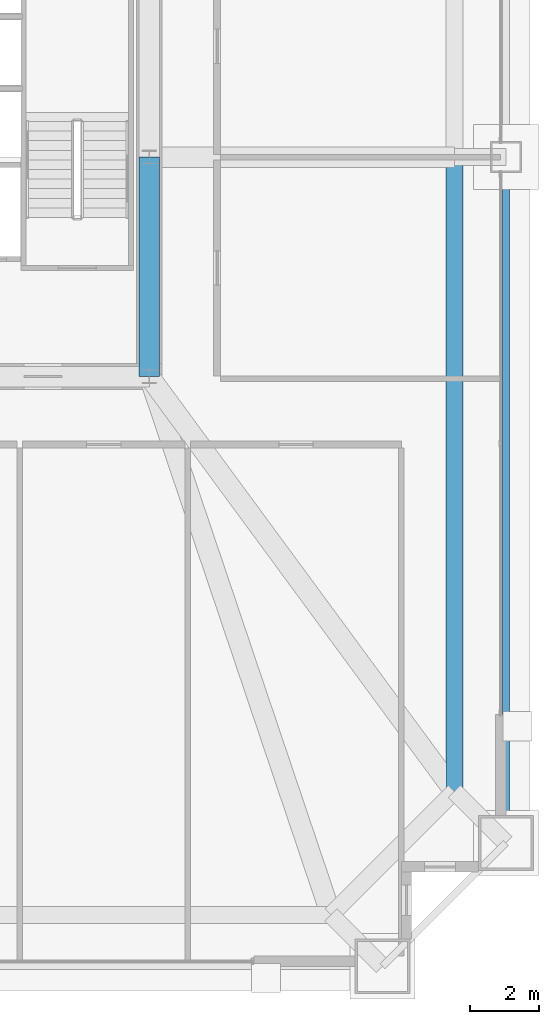
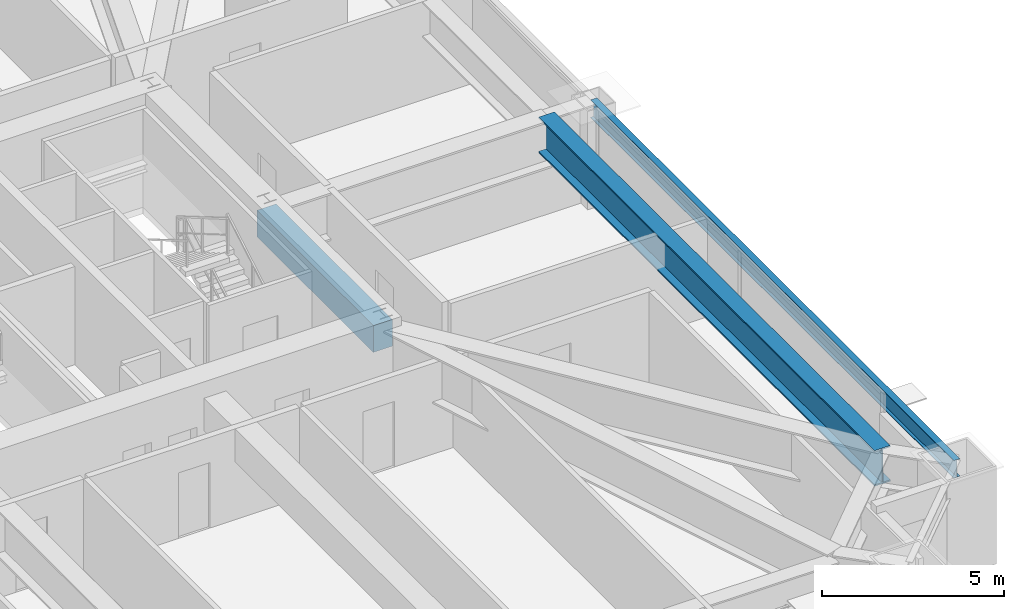
# One storey, part 21 of 45: 3 beams.
"""IFC4 building model written with IfcOpenShell, lengths in metres."""

import ifcopenshell
import ifcopenshell.guid

model = None  # the IFC model being written
_history = None  # IfcOwnerHistory: only IFC2X3 demands one
_inside = {}  # id of a spatial element -> (the spatial element, [elements in it])
_under = {}  # id of a project, library or spatial element -> (it, [spatial elements below it])
_declared = {}  # id of a project -> (the project, [libraries it declares])
_typed = {}  # id of a type object -> (the type object, [elements of that type])
_made_of = {}  # id of a material, layer set ... -> (it, [elements and type objects made of it])


def new_model(schema):
    """Start an empty IFC model of exactly this schema.

    Asked for "IFC4X3", IfcOpenShell would pick the latest addendum, in which some entities
    have other attributes; the version numbers below select the first issue.
    IFC2X3 requires an IfcOwnerHistory on every rooted entity: one is made here for all.
    """
    global model, _history
    if schema == "IFC4X3":
        model = ifcopenshell.file(schema_version=(4, 3, 0, 0))
    else:
        model = ifcopenshell.file(schema=schema)
    _inside.clear()
    _under.clear()
    _declared.clear()
    _typed.clear()
    _made_of.clear()
    _history = None
    if model.schema == "IFC2X3":
        org = make("IfcOrganization", Name="unknown")
        user = make(
            "IfcPersonAndOrganization",
            ThePerson=make("IfcPerson", FamilyName="unknown"),
            TheOrganization=org,
        )
        app = make(
            "IfcApplication",
            ApplicationDeveloper=org,
            Version="unknown",
            ApplicationFullName="unknown",
            ApplicationIdentifier="unknown",
        )
        _history = make(
            "IfcOwnerHistory",
            OwningUser=user,
            OwningApplication=app,
            ChangeAction="ADDED",
            CreationDate=0,
        )
    return model


def make(cls, **values):
    """One entity of the class cls with the attributes given. An attribute that is None is left unset."""
    return model.create_entity(
        cls, **{name: value for name, value in values.items() if value is not None}
    )


def rooted(cls, **values):
    """An entity with a GlobalId (a new one), such as an element, a storey or a relation."""
    return make(cls, GlobalId=ifcopenshell.guid.new(), OwnerHistory=_history, **values)


def si_unit(unit_type, name, prefix=None):
    """IfcSIUnit, for example si_unit("LENGTHUNIT", "METRE", prefix="MILLI")."""
    return make("IfcSIUnit", UnitType=unit_type, Prefix=prefix, Name=name)


def assignment(units):
    """IfcUnitAssignment: the units of a project."""
    return None if units is None else make("IfcUnitAssignment", Units=units)


def point(xyz):
    """IfcCartesianPoint."""
    return None if xyz is None else make("IfcCartesianPoint", Coordinates=xyz)


def direction(xyz):
    """IfcDirection."""
    return None if xyz is None else make("IfcDirection", DirectionRatios=xyz)


def frame(location, z_axis=None, x_axis=None):
    """IfcAxis2Placement3D, a coordinate frame: its origin and axes. An axis left out is left unset."""
    return make(
        "IfcAxis2Placement3D",
        Location=point(location),
        Axis=direction(z_axis),
        RefDirection=direction(x_axis),
    )


def frame_2d(location, x_axis=None):
    """IfcAxis2Placement2D, a coordinate frame in the plane: its origin and x axis."""
    return make(
        "IfcAxis2Placement2D", Location=point(location), RefDirection=direction(x_axis)
    )


def origin():
    """The frame at (0, 0, 0) with its axes left unset."""
    return frame((0.0, 0.0, 0.0))


def origin_2d():
    """The frame at (0, 0) in the plane with its x axis left unset."""
    return frame_2d((0.0, 0.0))


def place(relative_to, where):
    """IfcLocalPlacement: puts the frame where relative to a parent placement (None: the world)."""
    return make(
        "IfcLocalPlacement", PlacementRelTo=relative_to, RelativePlacement=where
    )


def context(
    kind, dimensions, precision=None, world=None, true_north=None, identifier=None
):
    """IfcGeometricRepresentationContext, for example the 3D "Model" context."""
    return make(
        "IfcGeometricRepresentationContext",
        ContextIdentifier=identifier,
        ContextType=kind,
        CoordinateSpaceDimension=dimensions,
        Precision=precision,
        WorldCoordinateSystem=world,
        TrueNorth=true_north,
    )


def subcontext(parent, identifier, kind, view, scale=None):
    """IfcGeometricRepresentationSubContext, for example "Body" below "Model"."""
    return make(
        "IfcGeometricRepresentationSubContext",
        ContextIdentifier=identifier,
        ContextType=kind,
        ParentContext=parent,
        TargetScale=scale,
        TargetView=view,
    )


def project(units=None, contexts=None):
    """IfcProject with its units and contexts."""
    return rooted(
        "IfcProject",
        Name="project",
        RepresentationContexts=contexts,
        UnitsInContext=assignment(units),
    )


def spatial(cls, under=None, at=None, **own):
    """A site, building, storey or space (cls), placed at a placement, below another one or the project."""
    s = rooted(cls, ObjectPlacement=at, **own)
    if under is not None:
        _under.setdefault(under.id(), (under, []))[1].append(s)
    return s


def profile(cls, at=None, kind="AREA", **sizes):
    """A parametric profile (cls). Its sizes go by their IFC names, for example OverallWidth=200.0."""
    return make(cls, ProfileType=kind, Position=at, **sizes)


def rectangle(**sizes):
    """IfcRectangleProfileDef."""
    return profile("IfcRectangleProfileDef", **sizes)


def i_section(**sizes):
    """IfcIShapeProfileDef."""
    return profile("IfcIShapeProfileDef", **sizes)


def extrude(swept, where, along, depth):
    """IfcExtrudedAreaSolid: the profile swept, set in the frame where, extruded along a direction by depth."""
    return make(
        "IfcExtrudedAreaSolid",
        SweptArea=swept,
        Position=where,
        ExtrudedDirection=direction(along),
        Depth=depth,
    )


def shape(context_of_items, identifier, shape_type, items):
    """IfcShapeRepresentation: the items that make up one representation, for example the "Body"."""
    return make(
        "IfcShapeRepresentation",
        ContextOfItems=context_of_items,
        RepresentationIdentifier=identifier,
        RepresentationType=shape_type,
        Items=items,
    )


def source(mapping_origin, context_of_items, identifier, shape_type, items):
    """IfcRepresentationMap: a shape defined once, which mapped items show again and again."""
    return make(
        "IfcRepresentationMap",
        MappingOrigin=mapping_origin,
        MappedRepresentation=shape(context_of_items, identifier, shape_type, items),
    )


def transform(
    local_origin,
    x_axis=None,
    y_axis=None,
    z_axis=None,
    scale=None,
    scale2=None,
    scale3=None,
    uniform=True,
):
    """IfcCartesianTransformationOperator3D, or its non-uniform kind. x_axis, y_axis, z_axis: its Axis1, 2, 3."""
    if uniform:
        return make(
            "IfcCartesianTransformationOperator3D",
            Axis1=direction(x_axis),
            Axis2=direction(y_axis),
            LocalOrigin=point(local_origin),
            Scale=scale,
            Axis3=direction(z_axis),
        )
    return make(
        "IfcCartesianTransformationOperator3DnonUniform",
        Axis1=direction(x_axis),
        Axis2=direction(y_axis),
        LocalOrigin=point(local_origin),
        Scale=scale,
        Axis3=direction(z_axis),
        Scale2=scale2,
        Scale3=scale3,
    )


def mapped(mapping_source, mapping_target):
    """IfcMappedItem: shows the shape of a source again, moved by a transform."""
    return make(
        "IfcMappedItem", MappingSource=mapping_source, MappingTarget=mapping_target
    )


def material(Name=None, Category=None):
    """IfcMaterial."""
    return make("IfcMaterial", Name=Name, Category=Category)


def material_profile(
    of_material, cross_section, Name=None, Category=None, Priority=None
):
    """IfcMaterialProfile: a cross section and its material."""
    return make(
        "IfcMaterialProfile",
        Name=Name,
        Material=of_material,
        Profile=cross_section,
        Priority=Priority,
        Category=Category,
    )


def profile_set(profiles, Name=None, composite=None):
    """IfcMaterialProfileSet."""
    return make(
        "IfcMaterialProfileSet",
        Name=Name,
        MaterialProfiles=profiles,
        CompositeProfile=composite,
    )


def made_of(thing, what):
    """Note that an element or type object is made of a material, layer set ...; save() writes the relation."""
    if what is not None:
        _made_of.setdefault(what.id(), (what, []))[1].append(thing)
    return thing


def type_object(cls, material=None, **own):
    """A type object (cls), such as IfcWallType, which elements share."""
    return made_of(rooted(cls, **own), material)


def element(
    cls,
    number,
    at=None,
    inside=None,
    cuts=None,
    type_object=None,
    material=None,
    context=None,
    identifier="Body",
    shape_type=None,
    held_by="IfcProductDefinitionShape",
    body=None,
    shapes=None,
    **own,
):
    """One element of the class cls, such as IfcWall. Its Tag is "e" and its number.

    at: its placement. inside: the storey or other place that contains it. cuts: it is an
    opening in that element (IfcRelVoidsElement). A single representation is given by context,
    identifier, shape_type and body (its items); several are given by shapes. held_by: the class
    of the entity that holds the representations. save() writes the other relations.
    """
    e = rooted(cls, Tag="e%d" % number, ObjectPlacement=at, **own)
    if body is not None:
        shapes = [shape(context, identifier, shape_type, body)]
    if shapes is not None:
        e.Representation = make(held_by, Representations=shapes)
    if inside is not None:
        _inside.setdefault(inside.id(), (inside, []))[1].append(e)
    if cuts is not None:
        rooted(
            "IfcRelVoidsElement", RelatingBuildingElement=cuts, RelatedOpeningElement=e
        )
    if type_object is not None:
        _typed.setdefault(type_object.id(), (type_object, []))[1].append(e)
    return made_of(e, material)


def aggregate(whole, parts):
    """IfcRelAggregates: a whole, such as a stair, and the parts it consists of."""
    return rooted("IfcRelAggregates", RelatingObject=whole, RelatedObjects=parts)


def save(model, path):
    """Write the relations noted so far, then the file.

    IfcRelAggregates (storeys below a building ...), IfcRelContainedInSpatialStructure (elements
    in a storey), IfcRelDefinesByType, IfcRelAssociatesMaterial and IfcRelDeclares: one each for
    every whole, place, type object, material and project.
    """
    for whole, parts in _under.values():
        aggregate(whole, parts)
    for where, things in _inside.values():
        rooted(
            "IfcRelContainedInSpatialStructure",
            RelatedElements=things,
            RelatingStructure=where,
        )
    for kind, things in _typed.values():
        rooted("IfcRelDefinesByType", RelatedObjects=things, RelatingType=kind)
    for what, things in _made_of.values():
        rooted("IfcRelAssociatesMaterial", RelatedObjects=things, RelatingMaterial=what)
    for by, libraries in _declared.values():
        rooted("IfcRelDeclares", RelatingContext=by, RelatedDefinitions=libraries)
    model.write(path)


model = new_model("IFC4")

# Units and contexts
model_context = context("Model", 3, precision=1e-05, world=origin(), true_north=direction((0.0, 1.0)))
body_context = subcontext(model_context, "Body", "Model", "MODEL_VIEW")
ifc_project = project(units=[si_unit("LENGTHUNIT", "METRE"), si_unit("AREAUNIT", "SQUARE_METRE"), si_unit("VOLUMEUNIT", "CUBIC_METRE"), si_unit("PLANEANGLEUNIT", "RADIAN"), si_unit("MASSUNIT", "GRAM", prefix="KILO"), si_unit("THERMODYNAMICTEMPERATUREUNIT", "KELVIN"), si_unit("POWERUNIT", "WATT")], contexts=[model_context])

# Site, building, storey
site_placement = place(None, origin())
site = spatial("IfcSite", under=ifc_project, at=site_placement, CompositionType="ELEMENT")
building_placement = place(site_placement, origin())
building = spatial("IfcBuilding", under=site, at=building_placement, Name="Yuzanri Waterfront Tower", CompositionType="ELEMENT")
storey_placement = place(building_placement, frame((0.0, 0.0, 163.199951171875)))
storey = spatial("IfcBuildingStorey", under=building, at=storey_placement, Name="L43", CompositionType="ELEMENT", Elevation=163.199951171875)

# Beams
ifc_material_1 = material(Name="Concrete C60", Category="concrete")
ifc_material_profile_1 = material_profile(ifc_material_1, rectangle(XDim=0.60009765625, YDim=0.89990234375, at=origin_2d()), Name="RC 600x900")
ifc_profile_set_1 = profile_set([ifc_material_profile_1], Name="Concrete C60")
beam_type_1 = type_object("IfcBeamType", Name="Core Coupling Lintel Concrete C60 600x900", PredefinedType="LINTEL", material=ifc_profile_set_1)
shared_shape_1 = source(origin(), body_context, "Body", "SweptSolid", [
    extrude(rectangle(XDim=0.60009765625, YDim=0.89990234375, at=origin_2d()), origin(), (0.0, 0.0, 1.0), 6.400146484375),
])
beam_1_placement = place(storey_placement, frame((50.199951171875, 19.39990234375, 2.85009765625), z_axis=(0.0, 1.0, 0.0), x_axis=(-1.0, 0.0, 0.0)))
element("IfcBeam", 1, at=beam_1_placement, inside=storey, type_object=beam_type_1, Name="L43 Core Tie Beam CE1", PredefinedType="LINTEL", context=body_context, shape_type="MappedRepresentation", body=[
    mapped(shared_shape_1, transform((0.0, 0.0, 0.0), scale=1.0)),
])
ifc_material_2 = material(Name="Steel Q355B", Category="steel")
ifc_material_profile_2 = material_profile(ifc_material_2, i_section(OverallWidth=0.199951171875, OverallDepth=0.60009765625, WebThickness=0.010986328125, FlangeThickness=0.01708984375, at=origin_2d()), Name="HN 600x200x11x17")
ifc_profile_set_2 = profile_set([ifc_material_profile_2], Name="Steel Q355B")
beam_type_2 = type_object("IfcBeamType", Name="Perimeter Spandrel Q355B HN 600x200", PredefinedType="SPANDREL", material=ifc_profile_set_2)
shared_shape_2 = source(origin(), body_context, "Body", "SweptSolid", [
    extrude(i_section(OverallWidth=0.199951171875, OverallDepth=0.60009765625, WebThickness=0.010986328125, FlangeThickness=0.01708984375, at=origin_2d()), origin(), (0.0, 0.0, 1.0), 20.0),
])
beam_2_placement = place(storey_placement, frame((60.60009765625, 5.800048828125, 3.0), z_axis=(0.0, 1.0, 0.0), x_axis=(-1.0, 0.0, 0.0)))
element("IfcBeam", 2, at=beam_2_placement, inside=storey, type_object=beam_type_2, Name="L43 Perimeter Spandrel E1-E2", PredefinedType="SPANDREL", context=body_context, shape_type="MappedRepresentation", body=[
    mapped(shared_shape_2, transform((0.0, 0.0, 0.0), scale=1.0)),
])
ifc_material_3 = material(Name="Steel Q420GJC", Category="steel")
ifc_material_profile_3 = material_profile(ifc_material_3, i_section(OverallWidth=0.5, OverallDepth=1.199951171875, WebThickness=0.028076171875, FlangeThickness=0.050048828125, at=origin_2d()), Name="PG 1200x500x28x50")
ifc_profile_set_3 = profile_set([ifc_material_profile_3], Name="Steel Q420GJC")
beam_type_3 = type_object("IfcBeamType", Name="Setback Transfer Girder Q420GJC PG 1200x500", PredefinedType="USERDEFINED", material=ifc_profile_set_3)
shared_shape_3 = source(origin(), body_context, "Body", "SweptSolid", [
    extrude(i_section(OverallWidth=0.5, OverallDepth=1.199951171875, WebThickness=0.028076171875, FlangeThickness=0.050048828125, at=origin_2d()), origin(), (0.0, 0.0, 1.0), 18.5),
])
beam_3_placement = place(storey_placement, frame((59.10009765625, 7.300048828125, 2.699951171875), z_axis=(0.0, 1.0, 0.0), x_axis=(-1.0, 0.0, 0.0)))
element("IfcBeam", 3, at=beam_3_placement, inside=storey, type_object=beam_type_3, Name="L43 Setback Upper Ring E1-E2", ObjectType="GIRDER", PredefinedType="USERDEFINED", context=body_context, shape_type="MappedRepresentation", body=[
    mapped(shared_shape_3, transform((0.0, 0.0, 0.0), scale=1.0)),
])

save(model, "model.ifc")
